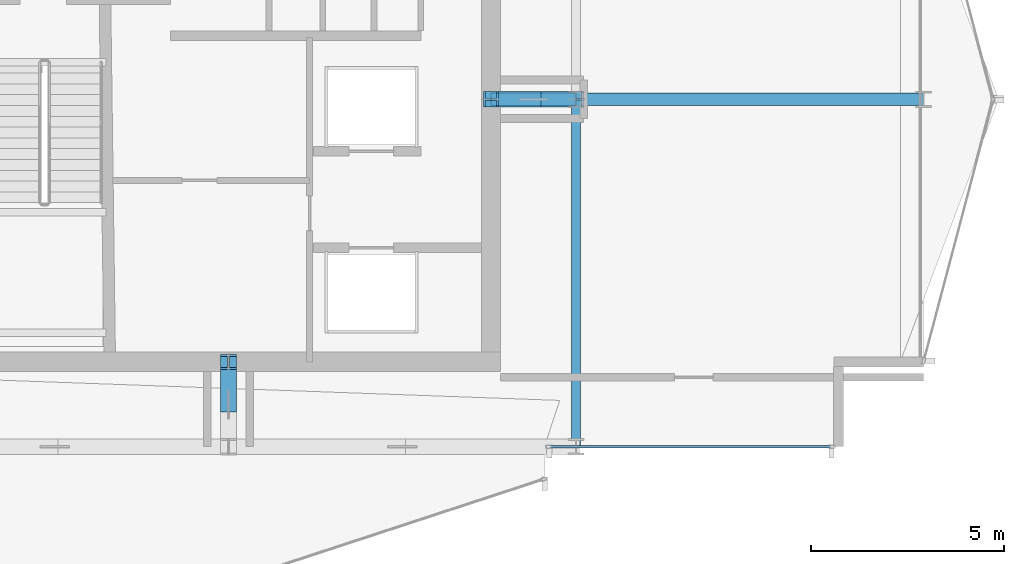
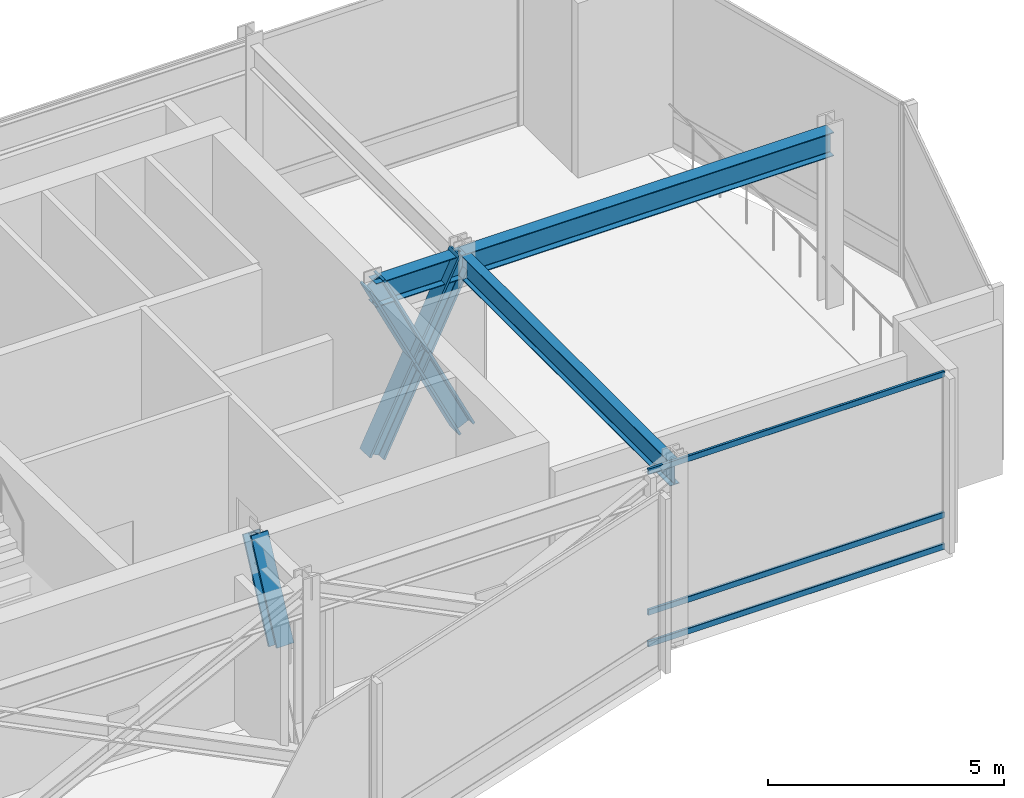
# One storey, part 10 of 30: 7 members, 3 beams, 1 element without a shape of its own.
"""IFC4 building model written with IfcOpenShell, lengths in metres."""

import ifcopenshell
import ifcopenshell.guid

model = None  # the IFC model being written
_history = None  # IfcOwnerHistory: only IFC2X3 demands one
_inside = {}  # id of a spatial element -> (the spatial element, [elements in it])
_under = {}  # id of a project, library or spatial element -> (it, [spatial elements below it])
_declared = {}  # id of a project -> (the project, [libraries it declares])
_typed = {}  # id of a type object -> (the type object, [elements of that type])
_made_of = {}  # id of a material, layer set ... -> (it, [elements and type objects made of it])


def new_model(schema):
    """Start an empty IFC model of exactly this schema.

    Asked for "IFC4X3", IfcOpenShell would pick the latest addendum, in which some entities
    have other attributes; the version numbers below select the first issue.
    IFC2X3 requires an IfcOwnerHistory on every rooted entity: one is made here for all.
    """
    global model, _history
    if schema == "IFC4X3":
        model = ifcopenshell.file(schema_version=(4, 3, 0, 0))
    else:
        model = ifcopenshell.file(schema=schema)
    _inside.clear()
    _under.clear()
    _declared.clear()
    _typed.clear()
    _made_of.clear()
    _history = None
    if model.schema == "IFC2X3":
        org = make("IfcOrganization", Name="unknown")
        user = make(
            "IfcPersonAndOrganization",
            ThePerson=make("IfcPerson", FamilyName="unknown"),
            TheOrganization=org,
        )
        app = make(
            "IfcApplication",
            ApplicationDeveloper=org,
            Version="unknown",
            ApplicationFullName="unknown",
            ApplicationIdentifier="unknown",
        )
        _history = make(
            "IfcOwnerHistory",
            OwningUser=user,
            OwningApplication=app,
            ChangeAction="ADDED",
            CreationDate=0,
        )
    return model


def make(cls, **values):
    """One entity of the class cls with the attributes given. An attribute that is None is left unset."""
    return model.create_entity(
        cls, **{name: value for name, value in values.items() if value is not None}
    )


def rooted(cls, **values):
    """An entity with a GlobalId (a new one), such as an element, a storey or a relation."""
    return make(cls, GlobalId=ifcopenshell.guid.new(), OwnerHistory=_history, **values)


def si_unit(unit_type, name, prefix=None):
    """IfcSIUnit, for example si_unit("LENGTHUNIT", "METRE", prefix="MILLI")."""
    return make("IfcSIUnit", UnitType=unit_type, Prefix=prefix, Name=name)


def assignment(units):
    """IfcUnitAssignment: the units of a project."""
    return None if units is None else make("IfcUnitAssignment", Units=units)


def point(xyz):
    """IfcCartesianPoint."""
    return None if xyz is None else make("IfcCartesianPoint", Coordinates=xyz)


def direction(xyz):
    """IfcDirection."""
    return None if xyz is None else make("IfcDirection", DirectionRatios=xyz)


def frame(location, z_axis=None, x_axis=None):
    """IfcAxis2Placement3D, a coordinate frame: its origin and axes. An axis left out is left unset."""
    return make(
        "IfcAxis2Placement3D",
        Location=point(location),
        Axis=direction(z_axis),
        RefDirection=direction(x_axis),
    )


def frame_2d(location, x_axis=None):
    """IfcAxis2Placement2D, a coordinate frame in the plane: its origin and x axis."""
    return make(
        "IfcAxis2Placement2D", Location=point(location), RefDirection=direction(x_axis)
    )


def origin():
    """The frame at (0, 0, 0) with its axes left unset."""
    return frame((0.0, 0.0, 0.0))


def origin_2d():
    """The frame at (0, 0) in the plane with its x axis left unset."""
    return frame_2d((0.0, 0.0))


def place(relative_to, where):
    """IfcLocalPlacement: puts the frame where relative to a parent placement (None: the world)."""
    return make(
        "IfcLocalPlacement", PlacementRelTo=relative_to, RelativePlacement=where
    )


def context(
    kind, dimensions, precision=None, world=None, true_north=None, identifier=None
):
    """IfcGeometricRepresentationContext, for example the 3D "Model" context."""
    return make(
        "IfcGeometricRepresentationContext",
        ContextIdentifier=identifier,
        ContextType=kind,
        CoordinateSpaceDimension=dimensions,
        Precision=precision,
        WorldCoordinateSystem=world,
        TrueNorth=true_north,
    )


def subcontext(parent, identifier, kind, view, scale=None):
    """IfcGeometricRepresentationSubContext, for example "Body" below "Model"."""
    return make(
        "IfcGeometricRepresentationSubContext",
        ContextIdentifier=identifier,
        ContextType=kind,
        ParentContext=parent,
        TargetScale=scale,
        TargetView=view,
    )


def project(units=None, contexts=None):
    """IfcProject with its units and contexts."""
    return rooted(
        "IfcProject",
        Name="project",
        RepresentationContexts=contexts,
        UnitsInContext=assignment(units),
    )


def spatial(cls, under=None, at=None, **own):
    """A site, building, storey or space (cls), placed at a placement, below another one or the project."""
    s = rooted(cls, ObjectPlacement=at, **own)
    if under is not None:
        _under.setdefault(under.id(), (under, []))[1].append(s)
    return s


def profile(cls, at=None, kind="AREA", **sizes):
    """A parametric profile (cls). Its sizes go by their IFC names, for example OverallWidth=200.0."""
    return make(cls, ProfileType=kind, Position=at, **sizes)


def hollow_rectangle(**sizes):
    """IfcRectangleHollowProfileDef."""
    return profile("IfcRectangleHollowProfileDef", **sizes)


def i_section(**sizes):
    """IfcIShapeProfileDef."""
    return profile("IfcIShapeProfileDef", **sizes)


def extrude(swept, where, along, depth):
    """IfcExtrudedAreaSolid: the profile swept, set in the frame where, extruded along a direction by depth."""
    return make(
        "IfcExtrudedAreaSolid",
        SweptArea=swept,
        Position=where,
        ExtrudedDirection=direction(along),
        Depth=depth,
    )


def shape(context_of_items, identifier, shape_type, items):
    """IfcShapeRepresentation: the items that make up one representation, for example the "Body"."""
    return make(
        "IfcShapeRepresentation",
        ContextOfItems=context_of_items,
        RepresentationIdentifier=identifier,
        RepresentationType=shape_type,
        Items=items,
    )


def material(Name=None, Category=None):
    """IfcMaterial."""
    return make("IfcMaterial", Name=Name, Category=Category)


def layer(
    of_material, thickness, ventilated=None, Name=None, Category=None, Priority=None
):
    """IfcMaterialLayer: one layer of a wall or slab, of a material (None: an air gap)."""
    return make(
        "IfcMaterialLayer",
        Material=of_material,
        LayerThickness=thickness,
        IsVentilated=ventilated,
        Name=Name,
        Category=Category,
        Priority=Priority,
    )


def layer_set(layers, Name=None):
    """IfcMaterialLayerSet."""
    return make("IfcMaterialLayerSet", MaterialLayers=layers, LayerSetName=Name)


def material_profile(
    of_material, cross_section, Name=None, Category=None, Priority=None
):
    """IfcMaterialProfile: a cross section and its material."""
    return make(
        "IfcMaterialProfile",
        Name=Name,
        Material=of_material,
        Profile=cross_section,
        Priority=Priority,
        Category=Category,
    )


def profile_set(profiles, Name=None, composite=None):
    """IfcMaterialProfileSet."""
    return make(
        "IfcMaterialProfileSet",
        Name=Name,
        MaterialProfiles=profiles,
        CompositeProfile=composite,
    )


def made_of(thing, what):
    """Note that an element or type object is made of a material, layer set ...; save() writes the relation."""
    if what is not None:
        _made_of.setdefault(what.id(), (what, []))[1].append(thing)
    return thing


def type_object(cls, material=None, **own):
    """A type object (cls), such as IfcWallType, which elements share."""
    return made_of(rooted(cls, **own), material)


def element(
    cls,
    number,
    at=None,
    inside=None,
    cuts=None,
    type_object=None,
    material=None,
    context=None,
    identifier="Body",
    shape_type=None,
    held_by="IfcProductDefinitionShape",
    body=None,
    shapes=None,
    **own,
):
    """One element of the class cls, such as IfcWall. Its Tag is "e" and its number.

    at: its placement. inside: the storey or other place that contains it. cuts: it is an
    opening in that element (IfcRelVoidsElement). A single representation is given by context,
    identifier, shape_type and body (its items); several are given by shapes. held_by: the class
    of the entity that holds the representations. save() writes the other relations.
    """
    e = rooted(cls, Tag="e%d" % number, ObjectPlacement=at, **own)
    if body is not None:
        shapes = [shape(context, identifier, shape_type, body)]
    if shapes is not None:
        e.Representation = make(held_by, Representations=shapes)
    if inside is not None:
        _inside.setdefault(inside.id(), (inside, []))[1].append(e)
    if cuts is not None:
        rooted(
            "IfcRelVoidsElement", RelatingBuildingElement=cuts, RelatedOpeningElement=e
        )
    if type_object is not None:
        _typed.setdefault(type_object.id(), (type_object, []))[1].append(e)
    return made_of(e, material)


def aggregate(whole, parts):
    """IfcRelAggregates: a whole, such as a stair, and the parts it consists of."""
    return rooted("IfcRelAggregates", RelatingObject=whole, RelatedObjects=parts)


def save(model, path):
    """Write the relations noted so far, then the file.

    IfcRelAggregates (storeys below a building ...), IfcRelContainedInSpatialStructure (elements
    in a storey), IfcRelDefinesByType, IfcRelAssociatesMaterial and IfcRelDeclares: one each for
    every whole, place, type object, material and project.
    """
    for whole, parts in _under.values():
        aggregate(whole, parts)
    for where, things in _inside.values():
        rooted(
            "IfcRelContainedInSpatialStructure",
            RelatedElements=things,
            RelatingStructure=where,
        )
    for kind, things in _typed.values():
        rooted("IfcRelDefinesByType", RelatedObjects=things, RelatingType=kind)
    for what, things in _made_of.values():
        rooted("IfcRelAssociatesMaterial", RelatedObjects=things, RelatingMaterial=what)
    for by, libraries in _declared.values():
        rooted("IfcRelDeclares", RelatingContext=by, RelatedDefinitions=libraries)
    model.write(path)


model = new_model("IFC4")

# Units and contexts
model_context = context("Model", 3, precision=1e-05, world=origin(), true_north=direction((0.0, 1.0)))
body_context = subcontext(model_context, "Body", "Model", "MODEL_VIEW")
ifc_project = project(units=[si_unit("LENGTHUNIT", "METRE"), si_unit("AREAUNIT", "SQUARE_METRE"), si_unit("VOLUMEUNIT", "CUBIC_METRE"), si_unit("PLANEANGLEUNIT", "RADIAN"), si_unit("MASSUNIT", "GRAM", prefix="KILO")], contexts=[model_context])

# Site, building, storey
site_placement = place(None, origin())
site = spatial("IfcSite", under=ifc_project, at=site_placement, CompositionType="ELEMENT")
building_placement = place(site_placement, origin())
building = spatial("IfcBuilding", under=site, at=building_placement, Name="Solvaryn Broadcast Tower", CompositionType="ELEMENT")
storey_placement = place(building_placement, frame((0.0, 0.0, 196.39990234375)))
storey = spatial("IfcBuildingStorey", under=building, at=storey_placement, Name="L49", CompositionType="ELEMENT", Elevation=196.39990234375)

# Beams
ifc_material_1 = material(Name="Steel ASTM A992 Grade 50", Category="steel")
ifc_material_profile_1 = material_profile(ifc_material_1, i_section(OverallWidth=0.323974609375, OverallDepth=0.611083984375, WebThickness=0.0126953125, FlangeThickness=0.01904296875, FilletRadius=0.014892578125, at=origin_2d()))
ifc_profile_set_1 = profile_set([ifc_material_profile_1], Name="Steel ASTM A992 Grade 50")
beam_type_1 = type_object("IfcBeamType", Name="BM-B1-W24X104", PredefinedType="BEAM", material=ifc_profile_set_1)
beam_1_placement = place(storey_placement, frame((45.0, 18.0, 4.214599609375), z_axis=(1.0, 0.0, 0.0), x_axis=(0.0, 1.0, 0.0)))
element("IfcBeam", 1, at=beam_1_placement, inside=storey, type_object=beam_type_1, Name="L49 Primary Beam X (45-54 @ Y=18)", PredefinedType="BEAM", context=body_context, shape_type="SweptSolid", body=[
    extrude(i_section(OverallWidth=0.323974609375, OverallDepth=0.611083984375, WebThickness=0.0126953125, FlangeThickness=0.01904296875, FilletRadius=0.014892578125, at=origin_2d()), origin(), (0.0, 0.0, 1.0), 9.0),
])
beam_2_placement = place(storey_placement, frame((42.800048828125, 18.0, 4.214599609375), z_axis=(1.0, 0.0, 0.0), x_axis=(0.0, 1.0, 0.0)))
element("IfcBeam", 2, at=beam_2_placement, inside=storey, type_object=beam_type_1, Name="L49 Core Tie Beam CTE3", PredefinedType="BEAM", context=body_context, shape_type="SweptSolid", body=[
    extrude(i_section(OverallWidth=0.323974609375, OverallDepth=0.611083984375, WebThickness=0.0126953125, FlangeThickness=0.01904296875, FilletRadius=0.014892578125, at=origin_2d()), origin(), (0.0, 0.0, 1.0), 2.199951171875),
])
ifc_material_2 = material(Name="Steel ASTM A992 Grade 50", Category="steel")
ifc_material_profile_2 = material_profile(ifc_material_2, i_section(OverallWidth=0.22802734375, OverallDepth=0.60791015625, WebThickness=0.01123046875, FlangeThickness=0.017333984375, FilletRadius=0.014892578125, at=origin_2d()))
ifc_profile_set_2 = profile_set([ifc_material_profile_2], Name="Steel ASTM A992 Grade 50")
beam_type_2 = type_object("IfcBeamType", Name="BM-B2-W24X76", PredefinedType="BEAM", material=ifc_profile_set_2)
beam_3_placement = place(storey_placement, frame((45.0, 9.0, 4.216064453125), z_axis=(0.0, 1.0, 0.0), x_axis=(-1.0, 0.0, 0.0)))
element("IfcBeam", 3, at=beam_3_placement, inside=storey, type_object=beam_type_2, Name="L49 Primary Beam Y (9-18 @ X=45)", PredefinedType="BEAM", context=body_context, shape_type="SweptSolid", body=[
    extrude(i_section(OverallWidth=0.22802734375, OverallDepth=0.60791015625, WebThickness=0.01123046875, FlangeThickness=0.017333984375, FilletRadius=0.014892578125, at=origin_2d()), origin(), (0.0, 0.0, 1.0), 9.0),
])

# Curtain wall, members
ifc_material_3 = material(Name="Aluminium and Terracotta Unitised Curtain Wall", Category="masonry")
ifc_layer = layer(ifc_material_3, 0.199951171875)
ifc_layer_set = layer_set([ifc_layer], Name="CW-SYS2-LOWMID")
curtain_wall_type = type_object("IfcCurtainWallType", Name="CW-SYS2-LOWMID", PredefinedType="NOTDEFINED", material=ifc_layer_set)
curtain_wall_placement = place(storey_placement, origin())
curtain_wall = element("IfcCurtainWall", 4, at=curtain_wall_placement, inside=storey, type_object=curtain_wall_type, Name="L49 Curtain Wall S2", PredefinedType="NOTDEFINED")
ifc_material_4 = material(Name="Anodised Aluminium 6063-T6", Category="aluminium")
ifc_material_profile_3 = material_profile(ifc_material_4, hollow_rectangle(XDim=0.06494140625, YDim=0.14990234375, WallThickness=0.00390625, InnerFilletRadius=0.00390625, OuterFilletRadius=0.008056640625, at=origin_2d()))
ifc_profile_set_3 = profile_set([ifc_material_profile_3], Name="Anodised Aluminium 6063-T6")
member_type_1 = type_object("IfcMemberType", Name="CW-TRN-150", PredefinedType="USERDEFINED", material=ifc_profile_set_3)
member_1_placement = place(storey_placement, frame((44.342041015625, 9.0, 0.030029296875), z_axis=(1.0, 0.0, 0.0), x_axis=(0.0, 1.0, 0.0)))
member_1 = element("IfcMember", 5, at=member_1_placement, type_object=member_type_1, Name="CWS2 transom 1.1", ObjectType="TRANSOM", PredefinedType="USERDEFINED", context=body_context, shape_type="SweptSolid", body=[
    extrude(hollow_rectangle(XDim=0.06494140625, YDim=0.14990234375, WallThickness=0.00390625, InnerFilletRadius=0.00390625, OuterFilletRadius=0.008056640625, at=origin_2d()), origin(), (0.0, 0.0, 1.0), 7.248046875),
])
member_2_placement = place(storey_placement, frame((44.342041015625, 9.0, 0.85009765625), z_axis=(1.0, 0.0, 0.0), x_axis=(0.0, 1.0, 0.0)))
member_2 = element("IfcMember", 6, at=member_2_placement, type_object=member_type_1, Name="CWS2 transom 1.2", ObjectType="TRANSOM", PredefinedType="USERDEFINED", context=body_context, shape_type="SweptSolid", body=[
    extrude(hollow_rectangle(XDim=0.06494140625, YDim=0.14990234375, WallThickness=0.00390625, InnerFilletRadius=0.00390625, OuterFilletRadius=0.008056640625, at=origin_2d()), origin(), (0.0, 0.0, 1.0), 7.248046875),
])
member_3_placement = place(storey_placement, frame((44.342041015625, 9.0, 4.489990234375), z_axis=(1.0, 0.0, 0.0), x_axis=(0.0, 1.0, 0.0)))
member_3 = element("IfcMember", 7, at=member_3_placement, type_object=member_type_1, Name="CWS2 transom 1.3", ObjectType="TRANSOM", PredefinedType="USERDEFINED", context=body_context, shape_type="SweptSolid", body=[
    extrude(hollow_rectangle(XDim=0.06494140625, YDim=0.14990234375, WallThickness=0.00390625, InnerFilletRadius=0.00390625, OuterFilletRadius=0.008056640625, at=origin_2d()), origin(), (0.0, 0.0, 1.0), 7.248046875),
])
aggregate(curtain_wall, [member_1, member_2, member_3])

# Members
ifc_material_5 = material(Name="Steel ASTM A913 Grade 65", Category="steel")
ifc_material_profile_4 = material_profile(ifc_material_5, i_section(OverallWidth=0.412109375, OverallDepth=0.43505859375, WebThickness=0.035888671875, FlangeThickness=0.057373046875, FilletRadius=0.014892578125, at=origin_2d()))
ifc_profile_set_4 = profile_set([ifc_material_profile_4], Name="Steel ASTM A913 Grade 65")
member_type_2 = type_object("IfcMemberType", Name="MB-OUTRIGGER-2", PredefinedType="BRACE", material=ifc_profile_set_4)
member_4_placement = place(storey_placement, frame((36.0, 11.199951171875, 4.5), z_axis=(0.0, -0.440744858159, -0.897632424774), x_axis=(1.0, 0.0, 0.0)))
element("IfcMember", 8, at=member_4_placement, inside=storey, type_object=member_type_2, Name="L49 Outrigger X-Brace S Split Diagonal Lower", PredefinedType="BRACE", context=body_context, shape_type="SweptSolid", body=[
    extrude(i_section(OverallWidth=0.412109375, OverallDepth=0.43505859375, WebThickness=0.035888671875, FlangeThickness=0.057373046875, FilletRadius=0.014892578125, at=origin_2d()), origin(), (0.0, 0.0, 1.0), 2.495361328125),
])
member_5_placement = place(storey_placement, frame((42.800048828125, 18.0, 0.02001953125), z_axis=(0.440784271702, 0.0, 0.897613071328), x_axis=(0.0, 1.0, 0.0)))
element("IfcMember", 9, at=member_5_placement, inside=storey, type_object=member_type_2, Name="L49 Outrigger X-Brace E Continuous Diagonal", PredefinedType="BRACE", context=body_context, shape_type="SweptSolid", body=[
    extrude(i_section(OverallWidth=0.412109375, OverallDepth=0.43505859375, WebThickness=0.035888671875, FlangeThickness=0.057373046875, FilletRadius=0.014892578125, at=origin_2d()), origin(), (0.0, 0.0, 1.0), 4.990966796875),
])
member_6_placement = place(storey_placement, frame((42.800048828125, 18.0, 4.5), z_axis=(0.440744858159, 0.0, -0.897632424774), x_axis=(0.0, 1.0, 0.0)))
element("IfcMember", 10, at=member_6_placement, inside=storey, type_object=member_type_2, Name="L49 Outrigger X-Brace E Split Diagonal Lower", PredefinedType="BRACE", context=body_context, shape_type="SweptSolid", body=[
    extrude(i_section(OverallWidth=0.412109375, OverallDepth=0.43505859375, WebThickness=0.035888671875, FlangeThickness=0.057373046875, FilletRadius=0.014892578125, at=origin_2d()), origin(), (0.0, 0.0, 1.0), 2.495361328125),
])
member_7_placement = place(storey_placement, frame((43.89990234375, 18.0, 2.260009765625), z_axis=(0.440823682697, 0.0, -0.897593716987), x_axis=(0.0, 1.0, 0.0)))
element("IfcMember", 11, at=member_7_placement, inside=storey, type_object=member_type_2, Name="L49 Outrigger X-Brace E Split Diagonal Upper", PredefinedType="BRACE", context=body_context, shape_type="SweptSolid", body=[
    extrude(i_section(OverallWidth=0.412109375, OverallDepth=0.43505859375, WebThickness=0.035888671875, FlangeThickness=0.057373046875, FilletRadius=0.014892578125, at=origin_2d()), origin(), (0.0, 0.0, 1.0), 2.49560546875),
])

save(model, "model.ifc")
